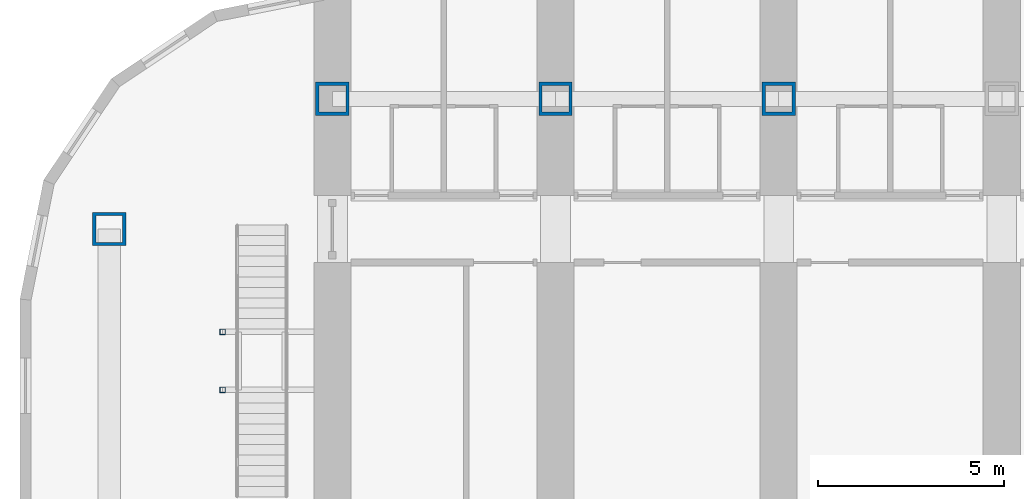
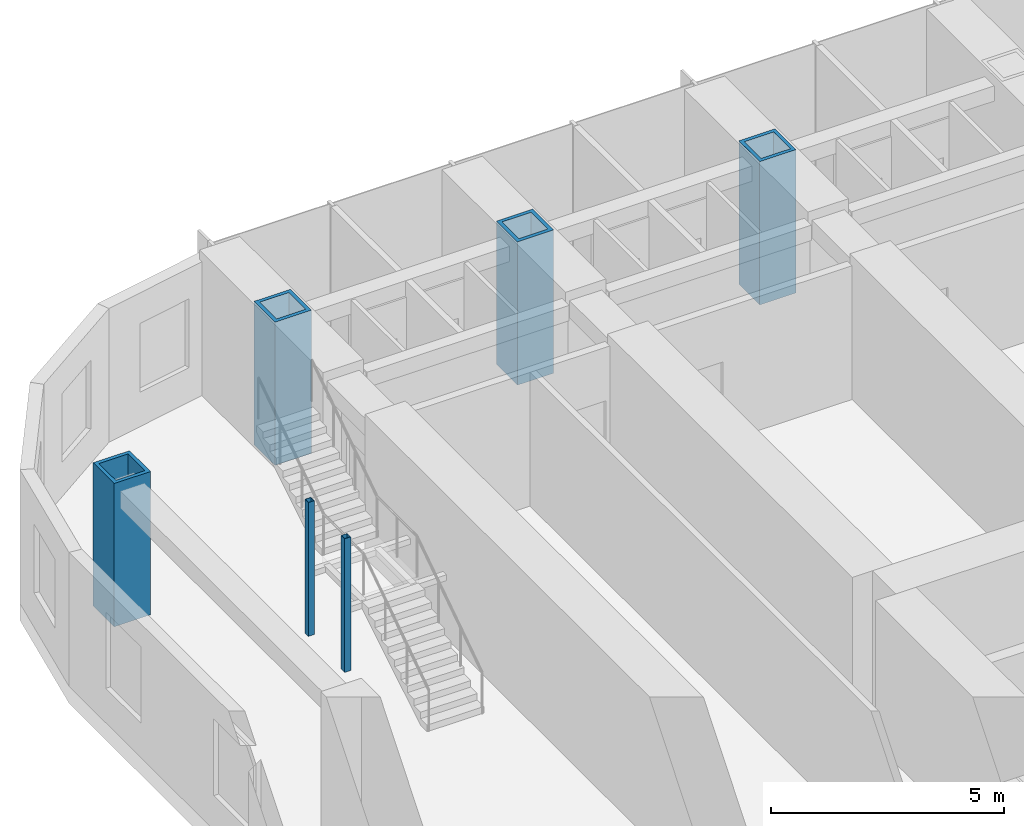
# One storey, part 2 of 28: 6 columns.
"""IFC4 building model written with IfcOpenShell, lengths in metres."""

import ifcopenshell
import ifcopenshell.guid

model = None  # the IFC model being written
_history = None  # IfcOwnerHistory: only IFC2X3 demands one
_inside = {}  # id of a spatial element -> (the spatial element, [elements in it])
_under = {}  # id of a project, library or spatial element -> (it, [spatial elements below it])
_declared = {}  # id of a project -> (the project, [libraries it declares])
_typed = {}  # id of a type object -> (the type object, [elements of that type])
_made_of = {}  # id of a material, layer set ... -> (it, [elements and type objects made of it])


def new_model(schema):
    """Start an empty IFC model of exactly this schema.

    Asked for "IFC4X3", IfcOpenShell would pick the latest addendum, in which some entities
    have other attributes; the version numbers below select the first issue.
    IFC2X3 requires an IfcOwnerHistory on every rooted entity: one is made here for all.
    """
    global model, _history
    if schema == "IFC4X3":
        model = ifcopenshell.file(schema_version=(4, 3, 0, 0))
    else:
        model = ifcopenshell.file(schema=schema)
    _inside.clear()
    _under.clear()
    _declared.clear()
    _typed.clear()
    _made_of.clear()
    _history = None
    if model.schema == "IFC2X3":
        org = make("IfcOrganization", Name="unknown")
        user = make(
            "IfcPersonAndOrganization",
            ThePerson=make("IfcPerson", FamilyName="unknown"),
            TheOrganization=org,
        )
        app = make(
            "IfcApplication",
            ApplicationDeveloper=org,
            Version="unknown",
            ApplicationFullName="unknown",
            ApplicationIdentifier="unknown",
        )
        _history = make(
            "IfcOwnerHistory",
            OwningUser=user,
            OwningApplication=app,
            ChangeAction="ADDED",
            CreationDate=0,
        )
    return model


def make(cls, **values):
    """One entity of the class cls with the attributes given. An attribute that is None is left unset."""
    return model.create_entity(
        cls, **{name: value for name, value in values.items() if value is not None}
    )


def rooted(cls, **values):
    """An entity with a GlobalId (a new one), such as an element, a storey or a relation."""
    return make(cls, GlobalId=ifcopenshell.guid.new(), OwnerHistory=_history, **values)


def si_unit(unit_type, name, prefix=None):
    """IfcSIUnit, for example si_unit("LENGTHUNIT", "METRE", prefix="MILLI")."""
    return make("IfcSIUnit", UnitType=unit_type, Prefix=prefix, Name=name)


def assignment(units):
    """IfcUnitAssignment: the units of a project."""
    return None if units is None else make("IfcUnitAssignment", Units=units)


def point(xyz):
    """IfcCartesianPoint."""
    return None if xyz is None else make("IfcCartesianPoint", Coordinates=xyz)


def direction(xyz):
    """IfcDirection."""
    return None if xyz is None else make("IfcDirection", DirectionRatios=xyz)


def frame(location, z_axis=None, x_axis=None):
    """IfcAxis2Placement3D, a coordinate frame: its origin and axes. An axis left out is left unset."""
    return make(
        "IfcAxis2Placement3D",
        Location=point(location),
        Axis=direction(z_axis),
        RefDirection=direction(x_axis),
    )


def frame_2d(location, x_axis=None):
    """IfcAxis2Placement2D, a coordinate frame in the plane: its origin and x axis."""
    return make(
        "IfcAxis2Placement2D", Location=point(location), RefDirection=direction(x_axis)
    )


def origin():
    """The frame at (0, 0, 0) with its axes left unset."""
    return frame((0.0, 0.0, 0.0))


def origin_2d():
    """The frame at (0, 0) in the plane with its x axis left unset."""
    return frame_2d((0.0, 0.0))


def place(relative_to, where):
    """IfcLocalPlacement: puts the frame where relative to a parent placement (None: the world)."""
    return make(
        "IfcLocalPlacement", PlacementRelTo=relative_to, RelativePlacement=where
    )


def context(
    kind, dimensions, precision=None, world=None, true_north=None, identifier=None
):
    """IfcGeometricRepresentationContext, for example the 3D "Model" context."""
    return make(
        "IfcGeometricRepresentationContext",
        ContextIdentifier=identifier,
        ContextType=kind,
        CoordinateSpaceDimension=dimensions,
        Precision=precision,
        WorldCoordinateSystem=world,
        TrueNorth=true_north,
    )


def subcontext(parent, identifier, kind, view, scale=None):
    """IfcGeometricRepresentationSubContext, for example "Body" below "Model"."""
    return make(
        "IfcGeometricRepresentationSubContext",
        ContextIdentifier=identifier,
        ContextType=kind,
        ParentContext=parent,
        TargetScale=scale,
        TargetView=view,
    )


def project(units=None, contexts=None):
    """IfcProject with its units and contexts."""
    return rooted(
        "IfcProject",
        Name="project",
        RepresentationContexts=contexts,
        UnitsInContext=assignment(units),
    )


def spatial(cls, under=None, at=None, **own):
    """A site, building, storey or space (cls), placed at a placement, below another one or the project."""
    s = rooted(cls, ObjectPlacement=at, **own)
    if under is not None:
        _under.setdefault(under.id(), (under, []))[1].append(s)
    return s


def profile(cls, at=None, kind="AREA", **sizes):
    """A parametric profile (cls). Its sizes go by their IFC names, for example OverallWidth=200.0."""
    return make(cls, ProfileType=kind, Position=at, **sizes)


def hollow_rectangle(**sizes):
    """IfcRectangleHollowProfileDef."""
    return profile("IfcRectangleHollowProfileDef", **sizes)


def extrude(swept, where, along, depth):
    """IfcExtrudedAreaSolid: the profile swept, set in the frame where, extruded along a direction by depth."""
    return make(
        "IfcExtrudedAreaSolid",
        SweptArea=swept,
        Position=where,
        ExtrudedDirection=direction(along),
        Depth=depth,
    )


def shape(context_of_items, identifier, shape_type, items):
    """IfcShapeRepresentation: the items that make up one representation, for example the "Body"."""
    return make(
        "IfcShapeRepresentation",
        ContextOfItems=context_of_items,
        RepresentationIdentifier=identifier,
        RepresentationType=shape_type,
        Items=items,
    )


def material(Name=None, Category=None):
    """IfcMaterial."""
    return make("IfcMaterial", Name=Name, Category=Category)


def material_profile(
    of_material, cross_section, Name=None, Category=None, Priority=None
):
    """IfcMaterialProfile: a cross section and its material."""
    return make(
        "IfcMaterialProfile",
        Name=Name,
        Material=of_material,
        Profile=cross_section,
        Priority=Priority,
        Category=Category,
    )


def profile_set(profiles, Name=None, composite=None):
    """IfcMaterialProfileSet."""
    return make(
        "IfcMaterialProfileSet",
        Name=Name,
        MaterialProfiles=profiles,
        CompositeProfile=composite,
    )


def made_of(thing, what):
    """Note that an element or type object is made of a material, layer set ...; save() writes the relation."""
    if what is not None:
        _made_of.setdefault(what.id(), (what, []))[1].append(thing)
    return thing


def type_object(cls, material=None, **own):
    """A type object (cls), such as IfcWallType, which elements share."""
    return made_of(rooted(cls, **own), material)


def element(
    cls,
    number,
    at=None,
    inside=None,
    cuts=None,
    type_object=None,
    material=None,
    context=None,
    identifier="Body",
    shape_type=None,
    held_by="IfcProductDefinitionShape",
    body=None,
    shapes=None,
    **own,
):
    """One element of the class cls, such as IfcWall. Its Tag is "e" and its number.

    at: its placement. inside: the storey or other place that contains it. cuts: it is an
    opening in that element (IfcRelVoidsElement). A single representation is given by context,
    identifier, shape_type and body (its items); several are given by shapes. held_by: the class
    of the entity that holds the representations. save() writes the other relations.
    """
    e = rooted(cls, Tag="e%d" % number, ObjectPlacement=at, **own)
    if body is not None:
        shapes = [shape(context, identifier, shape_type, body)]
    if shapes is not None:
        e.Representation = make(held_by, Representations=shapes)
    if inside is not None:
        _inside.setdefault(inside.id(), (inside, []))[1].append(e)
    if cuts is not None:
        rooted(
            "IfcRelVoidsElement", RelatingBuildingElement=cuts, RelatedOpeningElement=e
        )
    if type_object is not None:
        _typed.setdefault(type_object.id(), (type_object, []))[1].append(e)
    return made_of(e, material)


def aggregate(whole, parts):
    """IfcRelAggregates: a whole, such as a stair, and the parts it consists of."""
    return rooted("IfcRelAggregates", RelatingObject=whole, RelatedObjects=parts)


def save(model, path):
    """Write the relations noted so far, then the file.

    IfcRelAggregates (storeys below a building ...), IfcRelContainedInSpatialStructure (elements
    in a storey), IfcRelDefinesByType, IfcRelAssociatesMaterial and IfcRelDeclares: one each for
    every whole, place, type object, material and project.
    """
    for whole, parts in _under.values():
        aggregate(whole, parts)
    for where, things in _inside.values():
        rooted(
            "IfcRelContainedInSpatialStructure",
            RelatedElements=things,
            RelatingStructure=where,
        )
    for kind, things in _typed.values():
        rooted("IfcRelDefinesByType", RelatedObjects=things, RelatingType=kind)
    for what, things in _made_of.values():
        rooted("IfcRelAssociatesMaterial", RelatedObjects=things, RelatingMaterial=what)
    for by, libraries in _declared.values():
        rooted("IfcRelDeclares", RelatingContext=by, RelatedDefinitions=libraries)
    model.write(path)


model = new_model("IFC4")

# Units and contexts
model_context = context("Model", 3, precision=1e-05, world=origin(), true_north=direction((0.0, 1.0)))
body_context = subcontext(model_context, "Body", "Model", "MODEL_VIEW")
ifc_project = project(units=[si_unit("LENGTHUNIT", "METRE"), si_unit("AREAUNIT", "SQUARE_METRE"), si_unit("VOLUMEUNIT", "CUBIC_METRE"), si_unit("PLANEANGLEUNIT", "RADIAN"), si_unit("MASSUNIT", "GRAM", prefix="KILO")], contexts=[model_context])

# Site, building, storey
site_placement = place(None, origin())
site = spatial("IfcSite", under=ifc_project, at=site_placement, CompositionType="ELEMENT")
building_placement = place(site_placement, origin())
building = spatial("IfcBuilding", under=site, at=building_placement, Name="Orbita Commons", CompositionType="ELEMENT")
storey_placement = place(building_placement, frame((0.0, 0.0, 38.949951171875)))
storey = spatial("IfcBuildingStorey", under=building, at=storey_placement, Name="L09", CompositionType="ELEMENT", Elevation=38.949951171875)

# Columns
ifc_material_1 = material(Name="Steel ASTM A992", Category="steel")
ifc_material_profile_1 = material_profile(ifc_material_1, hollow_rectangle(XDim=0.14990234375, YDim=0.14990234375, WallThickness=0.008056640625, at=origin_2d()), Name="SHS 150x150x8")
ifc_profile_set_1 = profile_set([ifc_material_profile_1], Name="Steel ASTM A992")
column_type_1 = type_object("IfcColumnType", Name="Landing post SHS 150x150x8", PredefinedType="COLUMN", material=ifc_profile_set_1)
for number, where, z_axis, x_axis, name in (
    (1, (9.050048828125, 45.77490234375, 0.0), (0.0, 0.0, 1.0), (1.0, 0.0, 0.0), "Neighbourhood stair L09 to L10 landing post 1"),
    (2, (9.050048828125, 47.3349609375, 0.0), (0.0, 0.0, 1.0), (1.0, 0.0, 0.0), "Neighbourhood stair L09 to L10 landing post 3"),
):
    element("IfcColumn", number, at=place(storey_placement, frame(where, z_axis=z_axis, x_axis=x_axis)), inside=storey, type_object=column_type_1, Name=name, PredefinedType="COLUMN", context=body_context, shape_type="SweptSolid", body=[
        extrude(hollow_rectangle(XDim=0.14990234375, YDim=0.14990234375, WallThickness=0.008056640625, at=origin_2d()), origin(), (0.0, 0.0, 1.0), 3.5),
    ])
ifc_material_2 = material(Name="Steel ASTM A572 Gr 50 welded plate", Category="steel")
ifc_material_profile_2 = material_profile(ifc_material_2, hollow_rectangle(XDim=0.89990234375, YDim=0.89990234375, WallThickness=0.090087890625, at=origin_2d()), Name="BOX 900x900x90")
ifc_profile_set_2 = profile_set([ifc_material_profile_2], Name="Steel ASTM A572 Gr 50 welded plate")
column_type_2 = type_object("IfcColumnType", Name="Steel column BOX 900x900x90", PredefinedType="COLUMN", material=ifc_profile_set_2)
for number, where, z_axis, x_axis, name in (
    (3, (12.0, 53.60009765625, 0.0), (0.0, 0.0, 1.0), (1.0, 0.0, 0.0), "Column 3/E L09"),
    (4, (18.0, 53.60009765625, 0.0), (0.0, 0.0, 1.0), (1.0, 0.0, 0.0), "Column 4/E L09"),
    (5, (24.0, 53.60009765625, 0.0), (0.0, 0.0, 1.0), (1.0, 0.0, 0.0), "Column 5/E L09"),
    (6, (6.0, 50.10009765625, 0.0), (0.0, 0.0, 1.0), (1.0, 0.0, 0.0), "Column 2/50.1 L09"),
):
    element("IfcColumn", number, at=place(storey_placement, frame(where, z_axis=z_axis, x_axis=x_axis)), inside=storey, type_object=column_type_2, Name=name, PredefinedType="COLUMN", context=body_context, shape_type="SweptSolid", body=[
        extrude(hollow_rectangle(XDim=0.89990234375, YDim=0.89990234375, WallThickness=0.090087890625, at=origin_2d()), origin(), (0.0, 0.0, 1.0), 3.75),
    ])

save(model, "model.ifc")
